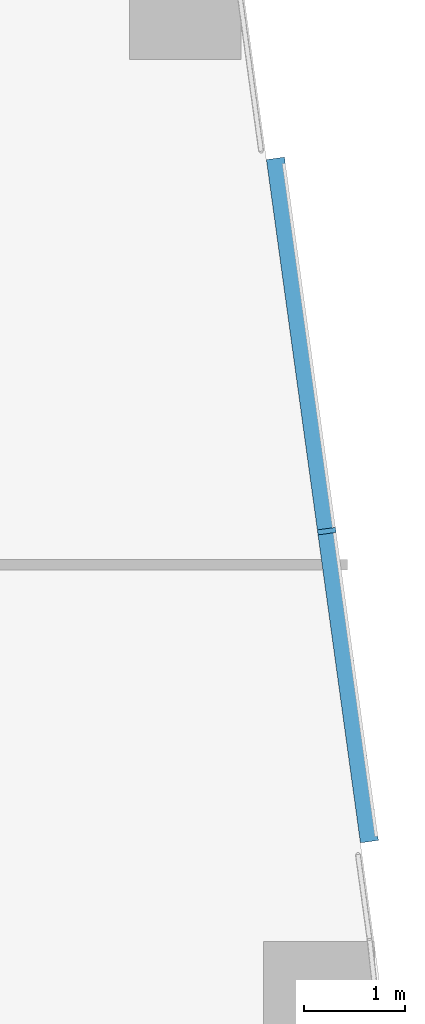
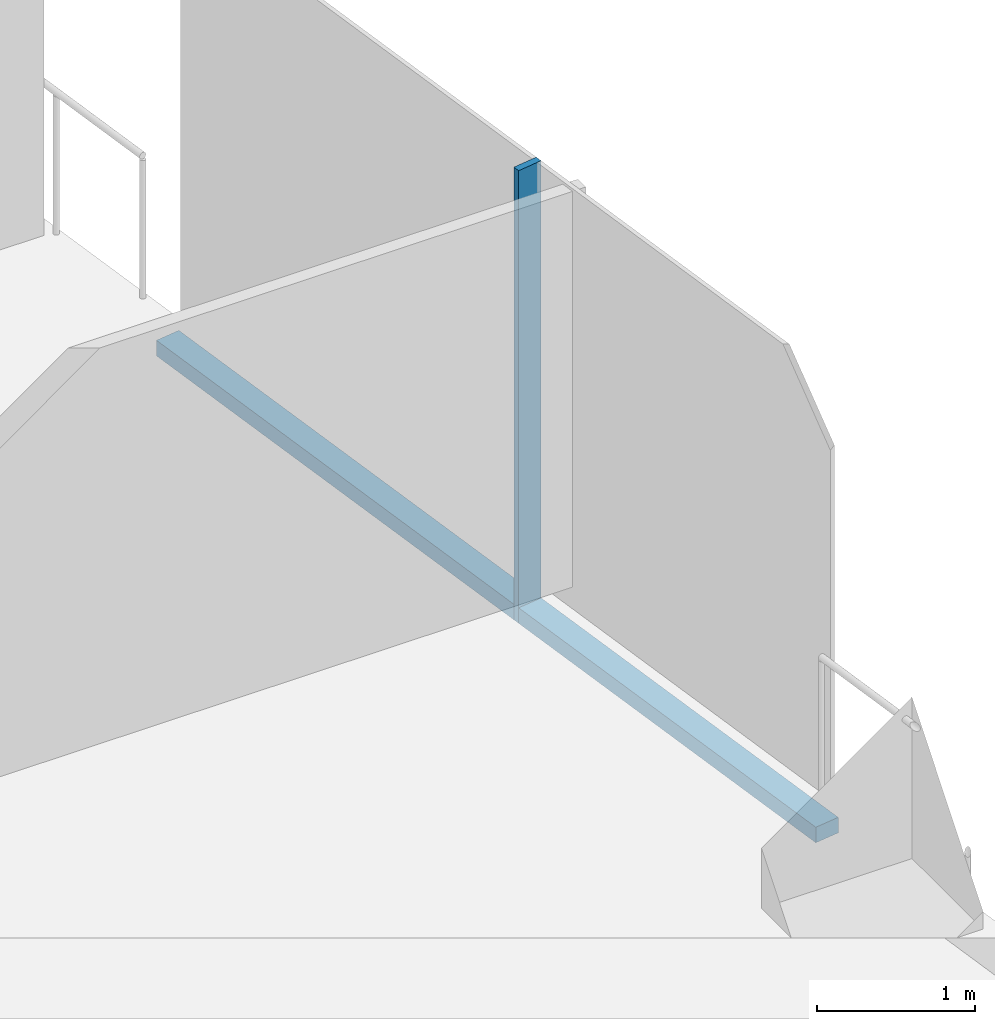
# One storey, part 8 of 29: 2 members, 1 element without a shape of its own.
"""IFC4 building model written with IfcOpenShell, lengths in metres."""

from ifc_helpers import new_model, si_unit, direction, frame, origin, origin_2d, place, context, subcontext, project, spatial, rectangle, extrude, material, material_profile, profile_set, type_object, element, aggregate, save


model = new_model("IFC4")

# Units and contexts
model_context = context("Model", 3, precision=1e-05, world=origin(), true_north=direction((0.0, 1.0)))
body_context = subcontext(model_context, "Body", "Model", "MODEL_VIEW")
ifc_project = project(units=[si_unit("LENGTHUNIT", "METRE"), si_unit("AREAUNIT", "SQUARE_METRE"), si_unit("VOLUMEUNIT", "CUBIC_METRE"), si_unit("PLANEANGLEUNIT", "RADIAN"), si_unit("MASSUNIT", "GRAM", prefix="KILO")], contexts=[model_context])

# Site, building, storey
site_placement = place(None, origin())
site = spatial("IfcSite", under=ifc_project, at=site_placement, CompositionType="ELEMENT")
building_placement = place(site_placement, origin())
building = spatial("IfcBuilding", under=site, at=building_placement, Name="Orlundy Tower", CompositionType="ELEMENT")
storey_placement = place(building_placement, frame((0.0, 0.0, 188.60009765625)))
storey = spatial("IfcBuildingStorey", under=building, at=storey_placement, Name="L49", CompositionType="ELEMENT", Elevation=188.60009765625)

# Curtain wall, members
ifc_material_1 = material(Name="Aluminium bronze anodised", Category="aluminium")
curtain_wall_type = type_object("IfcCurtainWallType", Name="CW1 wall", PredefinedType="NOTDEFINED", material=ifc_material_1)
curtain_wall_placement = place(storey_placement, origin())
curtain_wall = element("IfcCurtainWall", 1, at=curtain_wall_placement, inside=storey, type_object=curtain_wall_type, Name="CW1 run 011", PredefinedType="NOTDEFINED")
ifc_material_2 = material(Name="Aluminium bronze anodised", Category="aluminium")
ifc_material_profile_1 = material_profile(ifc_material_2, rectangle(XDim=0.179931640625, YDim=0.050048828125, at=origin_2d()), Name="CW1 mullion 50x180")
ifc_profile_set_1 = profile_set([ifc_material_profile_1], Name="Aluminium bronze anodised")
member_type_1 = type_object("IfcMemberType", Name="CW1 mullion 50x180", PredefinedType="MULLION", material=ifc_profile_set_1)
member_1_placement = place(storey_placement, frame((40.9267578125, 0.331298828125, -0.420166015625), z_axis=(0.0, 0.0, 1.0), x_axis=(0.990669519619, 0.13628610677, 0.0)))
member_1 = element("IfcMember", 2, at=member_1_placement, type_object=member_type_1, Name="CW1 mullion 35", PredefinedType="MULLION", context=body_context, shape_type="SweptSolid", body=[
    extrude(rectangle(XDim=0.179931640625, YDim=0.050048828125, at=origin_2d()), origin(), (0.0, 0.0, 1.0), 3.5),
])
ifc_material_3 = material(Name="Aluminium bronze anodised", Category="aluminium")
ifc_material_profile_2 = material_profile(ifc_material_3, rectangle(XDim=0.179931640625, YDim=0.1201171875, at=origin_2d()), Name="CW1 transom 180x120")
ifc_profile_set_2 = profile_set([ifc_material_profile_2], Name="Aluminium bronze anodised")
member_type_2 = type_object("IfcMemberType", Name="CW1 transom 180x120", PredefinedType="USERDEFINED", material=ifc_profile_set_2)
member_2_placement = place(storey_placement, frame((40.420166015625, 4.01220703125, -0.360107421875), z_axis=(0.136300143711, -0.99066758846, 0.0), x_axis=(0.99066758846, 0.136300143711, 0.0)))
member_2 = element("IfcMember", 3, at=member_2_placement, type_object=member_type_2, Name="CW1 transom", ObjectType="TRANSOM", PredefinedType="USERDEFINED", context=body_context, shape_type="SweptSolid", body=[
    extrude(rectangle(XDim=0.179931640625, YDim=0.1201171875, at=origin_2d()), origin(), (0.0, 0.0, 1.0), 6.81005859375),
])
aggregate(curtain_wall, [member_1, member_2])

save(model, "model.ifc")
